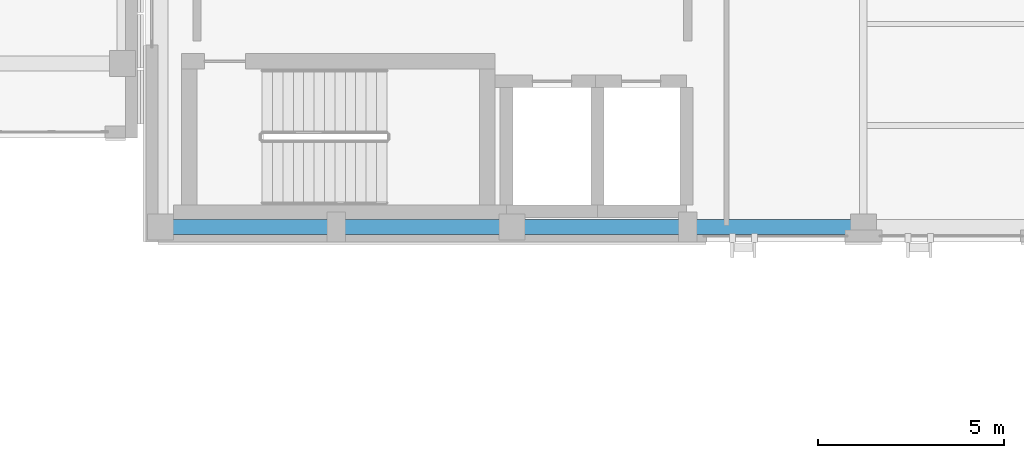
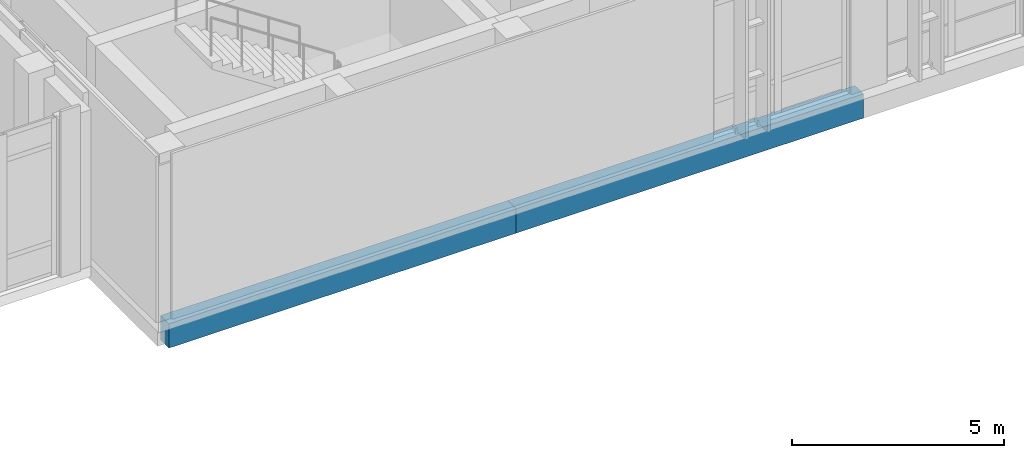
# One storey, part 9 of 189: 2 beams.
"""IFC4 building model written with IfcOpenShell, lengths in metres."""

from ifc_helpers import new_model, si_unit, direction, frame, origin, origin_2d, place, context, subcontext, project, spatial, rectangle, extrude, material, material_profile, profile_set, type_object, element, save


model = new_model("IFC4")

# Units and contexts
model_context = context("Model", 3, precision=1e-05, world=origin(), true_north=direction((0.0, 1.0)))
body_context = subcontext(model_context, "Body", "Model", "MODEL_VIEW")
ifc_project = project(units=[si_unit("LENGTHUNIT", "METRE"), si_unit("AREAUNIT", "SQUARE_METRE"), si_unit("VOLUMEUNIT", "CUBIC_METRE"), si_unit("PLANEANGLEUNIT", "RADIAN"), si_unit("MASSUNIT", "GRAM", prefix="KILO")], contexts=[model_context])

# Site, building, storey
site_placement = place(None, origin())
site = spatial("IfcSite", under=ifc_project, at=site_placement, CompositionType="ELEMENT")
building_placement = place(site_placement, origin())
building = spatial("IfcBuilding", under=site, at=building_placement, Name="Qalavern Law Courts", CompositionType="ELEMENT")
storey_placement = place(building_placement, frame((0.0, 0.0, 5.39990234375)))
storey = spatial("IfcBuildingStorey", under=building, at=storey_placement, Name="L01", CompositionType="ELEMENT", Elevation=5.39990234375)

# Beams
ifc_material = material(Name="Concrete C40/50", Category="concrete")
ifc_material_profile = material_profile(ifc_material, rectangle(XDim=0.39990234375, YDim=0.699951171875, at=origin_2d()), Name="RC 400x700")
ifc_profile_set = profile_set([ifc_material_profile], Name="Concrete C40/50")
beam_type = type_object("IfcBeamType", Name="STR-SP-RC400x700", PredefinedType="SPANDREL", material=ifc_profile_set)
beam_1_placement = place(storey_placement, frame((34.6201171875, 5.60009765625, -0.64990234375), z_axis=(1.0, 0.0, 0.0), x_axis=(0.0, 1.0, 0.0)))
element("IfcBeam", 1, at=beam_1_placement, inside=storey, type_object=beam_type, Name="V2 X-beam 1-1 L01", PredefinedType="SPANDREL", context=body_context, shape_type="SweptSolid", body=[
    extrude(rectangle(XDim=0.39990234375, YDim=0.699951171875, at=origin_2d()), origin(), (0.0, 0.0, 1.0), 9.4541015625),
])
beam_2_placement = place(storey_placement, frame((44.07421875, 5.60009765625, -0.64990234375), z_axis=(1.0, 0.0, 0.0), x_axis=(0.0, 1.0, 0.0)))
element("IfcBeam", 2, at=beam_2_placement, inside=storey, type_object=beam_type, Name="V2 X-beam 1-2 L01", PredefinedType="SPANDREL", context=body_context, shape_type="SweptSolid", body=[
    extrude(rectangle(XDim=0.39990234375, YDim=0.699951171875, at=origin_2d()), origin(), (0.0, 0.0, 1.0), 9.454345703125),
])

save(model, "model.ifc")
